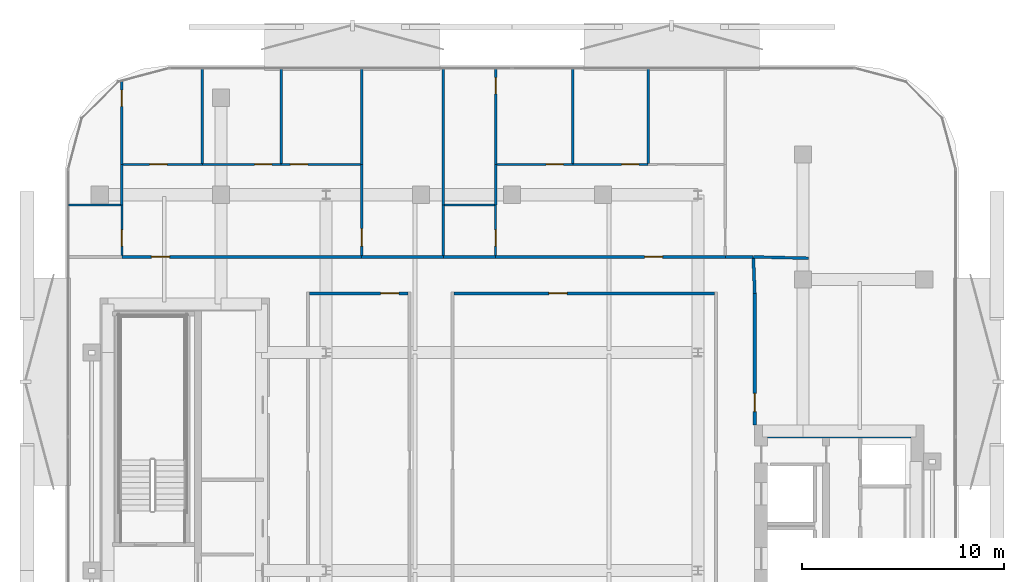
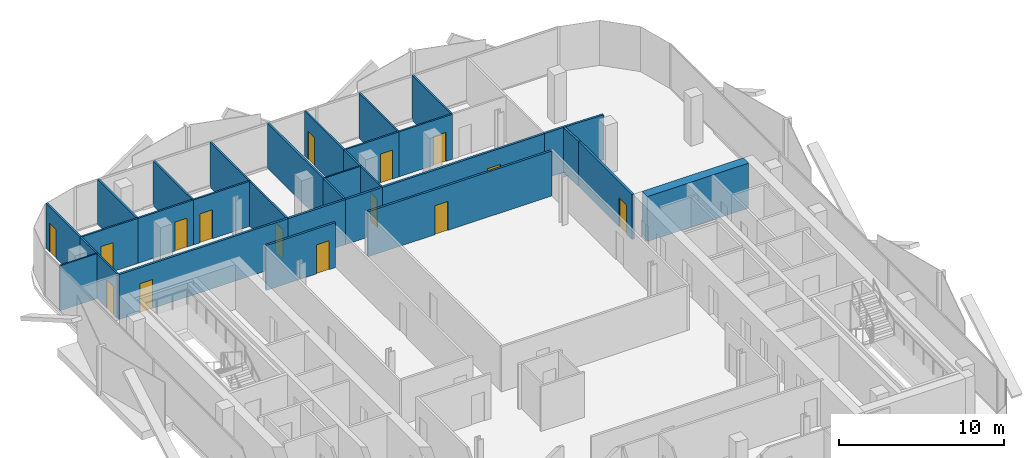
# One storey, part 6 of 14: 32 walls, 15 doors, 15 openings.
"""IFC4 building model written with IfcOpenShell, lengths in metres."""

from ifc_helpers import new_model, si_unit, direction, frame, frame_2d, origin, place, context, subcontext, project, spatial, rectangle, extrude, material, layer, layer_set, type_object, element, fill, save


model = new_model("IFC4")

# Units and contexts
model_context = context("Model", 3, precision=1e-05, world=origin(), true_north=direction((0.0, 1.0)))
body_context = subcontext(model_context, "Body", "Model", "MODEL_VIEW")
ifc_project = project(units=[si_unit("LENGTHUNIT", "METRE"), si_unit("AREAUNIT", "SQUARE_METRE"), si_unit("VOLUMEUNIT", "CUBIC_METRE"), si_unit("PLANEANGLEUNIT", "RADIAN"), si_unit("MASSUNIT", "GRAM", prefix="KILO")], contexts=[model_context])

# Site, building, storey
site_placement = place(None, origin())
site = spatial("IfcSite", under=ifc_project, at=site_placement, CompositionType="ELEMENT")
building_placement = place(site_placement, origin())
building = spatial("IfcBuilding", under=site, at=building_placement, Name="Khairoan Windgate Tower", CompositionType="ELEMENT")
storey_placement = place(building_placement, frame((0.0, 0.0, 233.199951171875)))
storey = spatial("IfcBuildingStorey", under=building, at=storey_placement, Name="L54", CompositionType="ELEMENT", Elevation=233.199951171875)

# Wall
ifc_material_1 = material(Name="Moisture-Resistant Gypsum Partition", Category="gypsum")
ifc_layer_1 = layer(ifc_material_1, 0.10009765625, Name="Moisture-Resistant Gypsum Partition")
ifc_layer_set_1 = layer_set([ifc_layer_1], Name="Moisture-Resistant Gypsum Partition")
wall_type_1 = type_object("IfcWallType", Name="Bathroom Wet-Area Partition Wall", PredefinedType="PARTITIONING", material=ifc_layer_set_1)
wall_1_placement = place(storey_placement, frame((-21.955078125, 18.10009765625, 0.0), z_axis=(0.0, 0.0, 1.0), x_axis=(1.0, 0.0, 0.0)))
element("IfcWall", 1, at=wall_1_placement, inside=storey, type_object=wall_type_1, Name="L54 Interior Partition 042", PredefinedType="PARTITIONING", context=body_context, shape_type="SweptSolid", body=[
    extrude(rectangle(XDim=2.594970703125, YDim=0.10009765625, at=frame_2d((1.29736328125, 0.0))), origin(), (0.0, 0.0, 1.0), 3.340087890625),
])

# Wall, opening, door
wall_2_placement = place(storey_placement, frame((-19.31005859375, 15.60009765625, 0.0), z_axis=(0.0, 0.0, 1.0), x_axis=(0.0, 1.0, 0.0)))
wall_2 = element("IfcWall", 2, at=wall_2_placement, inside=storey, type_object=wall_type_1, Name="L54 Interior Partition 043", PredefinedType="PARTITIONING", context=body_context, shape_type="SweptSolid", body=[
    extrude(rectangle(XDim=2.5, YDim=0.10009765625, at=frame_2d((1.25, 0.0))), origin(), (0.0, 0.0, 1.0), 3.340087890625),
])
opening_1_placement = place(wall_2_placement, frame((0.4599609375, 0.0, 0.0)))
opening_1 = element("IfcOpeningElement", 3, at=opening_1_placement, cuts=wall_2, Name="Opening ID-BTH", PredefinedType="OPENING", context=body_context, shape_type="SweptSolid", body=[
    extrude(rectangle(XDim=0.800048828125, YDim=2.10009765625, at=frame_2d((0.39990234375, 1.050048828125))), frame((0.0, 0.06005859375, 0.0), z_axis=(0.0, -1.0, 0.0), x_axis=(1.0, 0.0, 0.0)), (0.0, 0.0, 1.0), 0.1201171875),
])
ifc_material_2 = material(Name="Teak Veneer Timber Leaf", Category="wood")
door_type_1 = type_object("IfcDoorType", Name="Internal Bathroom Door ID-BTH 800x2100", OperationType="NOTDEFINED", PredefinedType="DOOR", material=ifc_material_2)
door_1_placement = place(opening_1_placement, origin())
door_1 = element("IfcDoor", 4, at=door_1_placement, inside=storey, type_object=door_type_1, Name="L54 L54-35-L54-37 Door", OperationType="SINGLE_SWING_LEFT", OverallHeight=2.10009765625, OverallWidth=0.800048828125, PredefinedType="DOOR", context=body_context, shape_type="SweptSolid", body=[
    extrude(rectangle(XDim=0.800048828125, YDim=2.10009765625, at=frame_2d((0.39990234375, 1.050048828125))), frame((0.0, 0.02490234375, 0.0), z_axis=(0.0, -1.0, 0.0), x_axis=(1.0, 0.0, 0.0)), (0.0, 0.0, 1.0), 0.050048828125),
])
fill(opening_1, door_1)

# Wall
wall_3_placement = place(storey_placement, frame((-3.330078125, 18.10009765625, 0.0), z_axis=(0.0, 0.0, 1.0), x_axis=(1.0, 0.0, 0.0)))
element("IfcWall", 5, at=wall_3_placement, inside=storey, type_object=wall_type_1, Name="L54 Interior Partition 055", PredefinedType="PARTITIONING", context=body_context, shape_type="SweptSolid", body=[
    extrude(rectangle(XDim=2.469970703125, YDim=0.10009765625, at=frame_2d((1.23486328125, 0.0))), origin(), (0.0, 0.0, 1.0), 3.340087890625),
])

# Wall, opening, door
wall_4_placement = place(storey_placement, frame((-0.81005859375, 15.60009765625, 0.0), z_axis=(0.0, 0.0, 1.0), x_axis=(0.0, 1.0, 0.0)))
wall_4 = element("IfcWall", 6, at=wall_4_placement, inside=storey, type_object=wall_type_1, Name="L54 Interior Partition 056", PredefinedType="PARTITIONING", context=body_context, shape_type="SweptSolid", body=[
    extrude(rectangle(XDim=2.5, YDim=0.10009765625, at=frame_2d((1.25, 0.0))), origin(), (0.0, 0.0, 1.0), 3.340087890625),
])
opening_2_placement = place(wall_4_placement, frame((0.4599609375, 0.0, 0.0)))
opening_2 = element("IfcOpeningElement", 7, at=opening_2_placement, cuts=wall_4, Name="Opening ID-BTH", PredefinedType="OPENING", context=body_context, shape_type="SweptSolid", body=[
    extrude(rectangle(XDim=0.800048828125, YDim=2.10009765625, at=frame_2d((0.39990234375, 1.050048828125))), frame((0.0, 0.06005859375, 0.0), z_axis=(0.0, -1.0, 0.0), x_axis=(1.0, 0.0, 0.0)), (0.0, 0.0, 1.0), 0.1201171875),
])
door_2_placement = place(opening_2_placement, origin())
door_2 = element("IfcDoor", 8, at=door_2_placement, inside=storey, type_object=door_type_1, Name="L54 L54-42-L54-44 Door", OperationType="SINGLE_SWING_LEFT", OverallHeight=2.10009765625, OverallWidth=0.800048828125, PredefinedType="DOOR", context=body_context, shape_type="SweptSolid", body=[
    extrude(rectangle(XDim=0.800048828125, YDim=2.10009765625, at=frame_2d((0.39990234375, 1.050048828125))), frame((0.0, 0.02490234375, 0.0), z_axis=(0.0, -1.0, 0.0), x_axis=(1.0, 0.0, 0.0)), (0.0, 0.0, 1.0), 0.050048828125),
])
fill(opening_2, door_2)

# Walls
ifc_material_3 = material(Name="Acoustic Fire-Rated Gypsum Partition", Category="gypsum")
ifc_layer_2 = layer(ifc_material_3, 0.139892578125, Name="Acoustic Fire-Rated Gypsum Partition")
ifc_layer_set_2 = layer_set([ifc_layer_2], Name="Acoustic Fire-Rated Gypsum Partition")
wall_type_2 = type_object("IfcWallType", Name="Inter-Tenancy Compartment Wall", PredefinedType="PARTITIONING", material=ifc_layer_set_2)
wall_5_placement = place(storey_placement, frame((-3.39990234375, 15.60009765625, 0.0), z_axis=(0.0, 0.0, 1.0), x_axis=(0.0, 1.0, 0.0)))
element("IfcWall", 9, at=wall_5_placement, inside=storey, type_object=wall_type_2, Name="L54 Interior Partition 051", PredefinedType="PARTITIONING", context=body_context, shape_type="SweptSolid", body=[
    extrude(rectangle(XDim=2.5, YDim=0.139892578125, at=frame_2d((1.25, 0.0))), origin(), (0.0, 0.0, 1.0), 3.340087890625),
])
wall_6_placement = place(storey_placement, frame((-3.39990234375, 18.10009765625, 0.0), z_axis=(0.0, 0.0, 1.0), x_axis=(0.0, 1.0, 0.0)))
element("IfcWall", 10, at=wall_6_placement, inside=storey, type_object=wall_type_2, Name="L54 Interior Partition 052", PredefinedType="PARTITIONING", context=body_context, shape_type="SweptSolid", body=[
    extrude(rectangle(XDim=6.7548828125, YDim=0.139892578125, at=frame_2d((3.37744140625, 0.0))), origin(), (0.0, 0.0, 1.0), 3.340087890625),
])
wall_7_placement = place(storey_placement, frame((11.93994140625, 15.52490234375, 0.0), z_axis=(0.0, 0.0, 1.0), x_axis=(0.999719241816, -0.023694673289, 0.0)))
element("IfcWall", 11, at=wall_7_placement, inside=storey, type_object=wall_type_2, Name="L54 Interior Partition 064", PredefinedType="PARTITIONING", context=body_context, shape_type="SweptSolid", body=[
    extrude(rectangle(XDim=2.74072265625, YDim=0.139892578125, at=frame_2d((1.370361328125, 0.0))), origin(), (0.0, 0.0, 1.0), 3.340087890625),
])
ifc_material_4 = material(Name="Gypsum Stud Partition", Category="gypsum")
ifc_layer_3 = layer(ifc_material_4, 0.1201171875, Name="Gypsum Stud Partition")
ifc_layer_set_3 = layer_set([ifc_layer_3], Name="Gypsum Stud Partition")
wall_type_3 = type_object("IfcWallType", Name="Internal Room Partition Wall", PredefinedType="PARTITIONING", material=ifc_layer_set_3)
wall_8_placement = place(storey_placement, frame((-19.31005859375, 18.10009765625, 0.0), z_axis=(0.0, 0.0, 1.0), x_axis=(0.0, 1.0, 0.0)))
element("IfcWall", 12, at=wall_8_placement, inside=storey, type_object=wall_type_3, Name="L54 Interior Partition 044", PredefinedType="PARTITIONING", context=body_context, shape_type="SweptSolid", body=[
    extrude(rectangle(XDim=2.0, YDim=0.1201171875, at=frame_2d((1.0, 0.0))), origin(), (0.0, 0.0, 1.0), 3.340087890625),
])

# Wall, opening, door
wall_9_placement = place(storey_placement, frame((-19.31005859375, 20.10009765625, 0.0), z_axis=(0.0, 0.0, 1.0), x_axis=(0.0, 1.0, 0.0)))
wall_9 = element("IfcWall", 13, at=wall_9_placement, inside=storey, type_object=wall_type_3, Name="L54 Interior Partition 045", PredefinedType="PARTITIONING", context=body_context, shape_type="SweptSolid", body=[
    extrude(rectangle(XDim=4.134521484375, YDim=0.1201171875, at=frame_2d((2.0673828125, 0.0))), origin(), (0.0, 0.0, 1.0), 3.340087890625),
])
opening_3_placement = place(wall_9_placement, frame((2.874755859375, 0.0, 0.0)))
opening_3 = element("IfcOpeningElement", 14, at=opening_3_placement, cuts=wall_9, Name="Opening ID-BTH", PredefinedType="OPENING", context=body_context, shape_type="SweptSolid", body=[
    extrude(rectangle(XDim=0.800048828125, YDim=2.10009765625, at=frame_2d((0.39990234375, 1.050048828125))), frame((0.0, 0.070068359375, 0.0), z_axis=(0.0, -1.0, 0.0), x_axis=(1.0, 0.0, 0.0)), (0.0, 0.0, 1.0), 0.14013671875),
])
door_3_placement = place(opening_3_placement, origin())
door_3 = element("IfcDoor", 15, at=door_3_placement, inside=storey, type_object=door_type_1, Name="L54 L54-36-L54-39 Door", OperationType="SINGLE_SWING_LEFT", OverallHeight=2.10009765625, OverallWidth=0.800048828125, PredefinedType="DOOR", context=body_context, shape_type="SweptSolid", body=[
    extrude(rectangle(XDim=0.800048828125, YDim=2.10009765625, at=frame_2d((0.39990234375, 1.050048828125))), frame((0.0, 0.02490234375, 0.0), z_axis=(0.0, -1.0, 0.0), x_axis=(1.0, 0.0, 0.0)), (0.0, 0.0, 1.0), 0.050048828125),
])
fill(opening_3, door_3)

wall_10_placement = place(storey_placement, frame((-7.43994140625, 15.60009765625, 0.0), z_axis=(0.0, 0.0, 1.0), x_axis=(0.0, 1.0, 0.0)))
wall_10 = element("IfcWall", 16, at=wall_10_placement, inside=storey, type_object=wall_type_3, Name="L54 Interior Partition 046", PredefinedType="PARTITIONING", context=body_context, shape_type="SweptSolid", body=[
    extrude(rectangle(XDim=4.5, YDim=0.1201171875, at=frame_2d((2.25, 0.0))), origin(), (0.0, 0.0, 1.0), 3.340087890625),
])
opening_4_placement = place(wall_10_placement, frame((0.4599609375, 0.0, 0.0)))
opening_4 = element("IfcOpeningElement", 17, at=opening_4_placement, cuts=wall_10, Name="Opening ID-RM", PredefinedType="OPENING", context=body_context, shape_type="SweptSolid", body=[
    extrude(rectangle(XDim=0.860107421875, YDim=2.14990234375, at=frame_2d((0.43017578125, 1.074951171875))), frame((0.0, 0.070068359375, 0.0), z_axis=(0.0, -1.0, 0.0), x_axis=(1.0, 0.0, 0.0)), (0.0, 0.0, 1.0), 0.14013671875),
])
ifc_material_5 = material(Name="Teak Veneer Timber Leaf", Category="wood")
door_type_2 = type_object("IfcDoorType", Name="Internal Bedroom and Office Door ID-RM 860x2150", OperationType="NOTDEFINED", PredefinedType="DOOR", material=ifc_material_5)
door_4_placement = place(opening_4_placement, origin())
door_4 = element("IfcDoor", 18, at=door_4_placement, inside=storey, type_object=door_type_2, Name="L54 L54-37-L54-38 Door", OperationType="SINGLE_SWING_LEFT", OverallHeight=2.14990234375, OverallWidth=0.860107421875, PredefinedType="DOOR", context=body_context, shape_type="SweptSolid", body=[
    extrude(rectangle(XDim=0.860107421875, YDim=2.14990234375, at=frame_2d((0.43017578125, 1.074951171875))), frame((0.0, 0.02490234375, 0.0), z_axis=(0.0, -1.0, 0.0), x_axis=(1.0, 0.0, 0.0)), (0.0, 0.0, 1.0), 0.050048828125),
])
fill(opening_4, door_4)

wall_11_placement = place(storey_placement, frame((-19.25, 20.10009765625, 0.0), z_axis=(0.0, 0.0, 1.0), x_axis=(1.0, 0.0, 0.0)))
wall_11 = element("IfcWall", 19, at=wall_11_placement, inside=storey, type_object=wall_type_3, Name="L54 Interior Partition 047", PredefinedType="PARTITIONING", context=body_context, shape_type="SweptSolid", body=[
    extrude(rectangle(XDim=3.923095703125, YDim=0.1201171875, at=frame_2d((1.96142578125, 0.0))), origin(), (0.0, 0.0, 1.0), 3.340087890625),
])
opening_5_placement = place(wall_11_placement, frame((1.317138671875, 0.0, 0.0)))
opening_5 = element("IfcOpeningElement", 20, at=opening_5_placement, cuts=wall_11, Name="Opening ID-RM", PredefinedType="OPENING", context=body_context, shape_type="SweptSolid", body=[
    extrude(rectangle(XDim=0.860107421875, YDim=2.14990234375, at=frame_2d((0.43017578125, 1.074951171875))), frame((0.0, 0.070068359375, 0.0), z_axis=(0.0, -1.0, 0.0), x_axis=(1.0, 0.0, 0.0)), (0.0, 0.0, 1.0), 0.14013671875),
])
door_5_placement = place(opening_5_placement, origin())
door_5 = element("IfcDoor", 21, at=door_5_placement, inside=storey, type_object=door_type_2, Name="L54 L54-37-L54-39 Door", OperationType="SINGLE_SWING_RIGHT", OverallHeight=2.14990234375, OverallWidth=0.860107421875, PredefinedType="DOOR", context=body_context, shape_type="SweptSolid", body=[
    extrude(rectangle(XDim=0.860107421875, YDim=2.14990234375, at=frame_2d((0.43017578125, 1.074951171875))), frame((0.0, 0.02490234375, 0.0), z_axis=(0.0, -1.0, 0.0), x_axis=(1.0, 0.0, 0.0)), (0.0, 0.0, 1.0), 0.050048828125),
])
fill(opening_5, door_5)

wall_12_placement = place(storey_placement, frame((-15.326904296875, 20.10009765625, 0.0), z_axis=(0.0, 0.0, 1.0), x_axis=(1.0, 0.0, 0.0)))
wall_12 = element("IfcWall", 22, at=wall_12_placement, inside=storey, type_object=wall_type_3, Name="L54 Interior Partition 048", PredefinedType="PARTITIONING", context=body_context, shape_type="SweptSolid", body=[
    extrude(rectangle(XDim=3.90380859375, YDim=0.1201171875, at=frame_2d((1.951904296875, 0.0))), origin(), (0.0, 0.0, 1.0), 3.340087890625),
])
opening_6_placement = place(wall_12_placement, frame((2.583984375, 0.0, 0.0)))
opening_6 = element("IfcOpeningElement", 23, at=opening_6_placement, cuts=wall_12, Name="Opening ID-RM", PredefinedType="OPENING", context=body_context, shape_type="SweptSolid", body=[
    extrude(rectangle(XDim=0.860107421875, YDim=2.14990234375, at=frame_2d((0.43017578125, 1.074951171875))), frame((0.0, 0.070068359375, 0.0), z_axis=(0.0, -1.0, 0.0), x_axis=(1.0, 0.0, 0.0)), (0.0, 0.0, 1.0), 0.14013671875),
])
door_6_placement = place(opening_6_placement, origin())
door_6 = element("IfcDoor", 24, at=door_6_placement, inside=storey, type_object=door_type_2, Name="L54 L54-37-L54-40 Door", OperationType="SINGLE_SWING_LEFT", OverallHeight=2.14990234375, OverallWidth=0.860107421875, PredefinedType="DOOR", context=body_context, shape_type="SweptSolid", body=[
    extrude(rectangle(XDim=0.860107421875, YDim=2.14990234375, at=frame_2d((0.43017578125, 1.074951171875))), frame((0.0, 0.02490234375, 0.0), z_axis=(0.0, -1.0, 0.0), x_axis=(1.0, 0.0, 0.0)), (0.0, 0.0, 1.0), 0.050048828125),
])
fill(opening_6, door_6)

wall_13_placement = place(storey_placement, frame((-11.423095703125, 20.10009765625, 0.0), z_axis=(0.0, 0.0, 1.0), x_axis=(1.0, 0.0, 0.0)))
wall_13 = element("IfcWall", 25, at=wall_13_placement, inside=storey, type_object=wall_type_3, Name="L54 Interior Partition 049", PredefinedType="PARTITIONING", context=body_context, shape_type="SweptSolid", body=[
    extrude(rectangle(XDim=3.923095703125, YDim=0.1201171875, at=frame_2d((1.96142578125, 0.0))), origin(), (0.0, 0.0, 1.0), 3.340087890625),
])
opening_7_placement = place(wall_13_placement, frame((0.4599609375, 0.0, 0.0)))
opening_7 = element("IfcOpeningElement", 26, at=opening_7_placement, cuts=wall_13, Name="Opening ID-RM", PredefinedType="OPENING", context=body_context, shape_type="SweptSolid", body=[
    extrude(rectangle(XDim=0.860107421875, YDim=2.14990234375, at=frame_2d((0.43017578125, 1.074951171875))), frame((0.0, 0.070068359375, 0.0), z_axis=(0.0, -1.0, 0.0), x_axis=(1.0, 0.0, 0.0)), (0.0, 0.0, 1.0), 0.14013671875),
])
door_7_placement = place(opening_7_placement, origin())
door_7 = element("IfcDoor", 27, at=door_7_placement, inside=storey, type_object=door_type_2, Name="L54 L54-37-L54-41 Door", OperationType="SINGLE_SWING_RIGHT", OverallHeight=2.14990234375, OverallWidth=0.860107421875, PredefinedType="DOOR", context=body_context, shape_type="SweptSolid", body=[
    extrude(rectangle(XDim=0.860107421875, YDim=2.14990234375, at=frame_2d((0.43017578125, 1.074951171875))), frame((0.0, 0.02490234375, 0.0), z_axis=(0.0, -1.0, 0.0), x_axis=(1.0, 0.0, 0.0)), (0.0, 0.0, 1.0), 0.050048828125),
])
fill(opening_7, door_7)

# Walls
wall_14_placement = place(storey_placement, frame((-7.43994140625, 20.10009765625, 0.0), z_axis=(0.0, 0.0, 1.0), x_axis=(0.0, 1.0, 0.0)))
element("IfcWall", 28, at=wall_14_placement, inside=storey, type_object=wall_type_3, Name="L54 Interior Partition 050", PredefinedType="PARTITIONING", context=body_context, shape_type="SweptSolid", body=[
    extrude(rectangle(XDim=4.7548828125, YDim=0.1201171875, at=frame_2d((2.37744140625, 0.0))), origin(), (0.0, 0.0, 1.0), 3.340087890625),
])
for number, where, z_axis, x_axis, name in (
    (29, (-15.326904296875, 20.159912109375, 0.0), (0.0, 0.0, 1.0), (0.0, 1.0, 0.0), "L54 Interior Partition 053"),
    (30, (-11.423095703125, 20.159912109375, 0.0), (0.0, 0.0, 1.0), (0.0, 1.0, 0.0), "L54 Interior Partition 054"),
):
    element("IfcWall", number, at=place(storey_placement, frame(where, z_axis=z_axis, x_axis=x_axis)), inside=storey, type_object=wall_type_3, Name=name, PredefinedType="PARTITIONING", context=body_context, shape_type="SweptSolid", body=[
        extrude(rectangle(XDim=4.695068359375, YDim=0.1201171875, at=frame_2d((2.34765625, 0.0))), origin(), (0.0, 0.0, 1.0), 3.340087890625),
    ])
wall_15_placement = place(storey_placement, frame((-0.81005859375, 18.10009765625, 0.0), z_axis=(0.0, 0.0, 1.0), x_axis=(0.0, 1.0, 0.0)))
element("IfcWall", 31, at=wall_15_placement, inside=storey, type_object=wall_type_3, Name="L54 Interior Partition 057", PredefinedType="PARTITIONING", context=body_context, shape_type="SweptSolid", body=[
    extrude(rectangle(XDim=2.0, YDim=0.1201171875, at=frame_2d((1.0, 0.0))), origin(), (0.0, 0.0, 1.0), 3.340087890625),
])

# Wall, opening, door
wall_16_placement = place(storey_placement, frame((-0.81005859375, 20.10009765625, 0.0), z_axis=(0.0, 0.0, 1.0), x_axis=(0.0, 1.0, 0.0)))
wall_16 = element("IfcWall", 32, at=wall_16_placement, inside=storey, type_object=wall_type_3, Name="L54 Interior Partition 058", PredefinedType="PARTITIONING", context=body_context, shape_type="SweptSolid", body=[
    extrude(rectangle(XDim=4.7548828125, YDim=0.1201171875, at=frame_2d((2.37744140625, 0.0))), origin(), (0.0, 0.0, 1.0), 3.340087890625),
])
opening_8_placement = place(wall_16_placement, frame((3.4951171875, 0.0, 0.0)))
opening_8 = element("IfcOpeningElement", 33, at=opening_8_placement, cuts=wall_16, Name="Opening ID-BTH", PredefinedType="OPENING", context=body_context, shape_type="SweptSolid", body=[
    extrude(rectangle(XDim=0.800048828125, YDim=2.10009765625, at=frame_2d((0.39990234375, 1.050048828125))), frame((0.0, 0.070068359375, 0.0), z_axis=(0.0, -1.0, 0.0), x_axis=(1.0, 0.0, 0.0)), (0.0, 0.0, 1.0), 0.14013671875),
])
door_8_placement = place(opening_8_placement, origin())
door_8 = element("IfcDoor", 34, at=door_8_placement, inside=storey, type_object=door_type_1, Name="L54 L54-43-L54-46 Door", OperationType="SINGLE_SWING_RIGHT", OverallHeight=2.10009765625, OverallWidth=0.800048828125, PredefinedType="DOOR", context=body_context, shape_type="SweptSolid", body=[
    extrude(rectangle(XDim=0.800048828125, YDim=2.10009765625, at=frame_2d((0.39990234375, 1.050048828125))), frame((0.0, 0.02490234375, 0.0), z_axis=(0.0, -1.0, 0.0), x_axis=(1.0, 0.0, 0.0)), (0.0, 0.0, 1.0), 0.050048828125),
])
fill(opening_8, door_8)

wall_17_placement = place(storey_placement, frame((-0.75, 20.10009765625, 0.0), z_axis=(0.0, 0.0, 1.0), x_axis=(1.0, 0.0, 0.0)))
wall_17 = element("IfcWall", 35, at=wall_17_placement, inside=storey, type_object=wall_type_3, Name="L54 Interior Partition 060", PredefinedType="PARTITIONING", context=body_context, shape_type="SweptSolid", body=[
    extrude(rectangle(XDim=3.757080078125, YDim=0.1201171875, at=frame_2d((1.87841796875, 0.0))), origin(), (0.0, 0.0, 1.0), 3.340087890625),
])
opening_9_placement = place(wall_17_placement, frame((2.43701171875, 0.0, 0.0)))
opening_9 = element("IfcOpeningElement", 36, at=opening_9_placement, cuts=wall_17, Name="Opening ID-RM", PredefinedType="OPENING", context=body_context, shape_type="SweptSolid", body=[
    extrude(rectangle(XDim=0.860107421875, YDim=2.14990234375, at=frame_2d((0.43017578125, 1.074951171875))), frame((0.0, 0.070068359375, 0.0), z_axis=(0.0, -1.0, 0.0), x_axis=(1.0, 0.0, 0.0)), (0.0, 0.0, 1.0), 0.14013671875),
])
door_9_placement = place(opening_9_placement, origin())
door_9 = element("IfcDoor", 37, at=door_9_placement, inside=storey, type_object=door_type_2, Name="L54 L54-44-L54-46 Door", OperationType="SINGLE_SWING_RIGHT", OverallHeight=2.14990234375, OverallWidth=0.860107421875, PredefinedType="DOOR", context=body_context, shape_type="SweptSolid", body=[
    extrude(rectangle(XDim=0.860107421875, YDim=2.14990234375, at=frame_2d((0.43017578125, 1.074951171875))), frame((0.0, 0.02490234375, 0.0), z_axis=(0.0, -1.0, 0.0), x_axis=(1.0, 0.0, 0.0)), (0.0, 0.0, 1.0), 0.050048828125),
])
fill(opening_9, door_9)

wall_18_placement = place(storey_placement, frame((3.007080078125, 20.10009765625, 0.0), z_axis=(0.0, 0.0, 1.0), x_axis=(1.0, 0.0, 0.0)))
wall_18 = element("IfcWall", 38, at=wall_18_placement, inside=storey, type_object=wall_type_3, Name="L54 Interior Partition 061", PredefinedType="PARTITIONING", context=body_context, shape_type="SweptSolid", body=[
    extrude(rectangle(XDim=3.73583984375, YDim=0.1201171875, at=frame_2d((1.867919921875, 0.0))), origin(), (0.0, 0.0, 1.0), 3.340087890625),
])
opening_10_placement = place(wall_18_placement, frame((2.416015625, 0.0, 0.0)))
opening_10 = element("IfcOpeningElement", 39, at=opening_10_placement, cuts=wall_18, Name="Opening ID-RM", PredefinedType="OPENING", context=body_context, shape_type="SweptSolid", body=[
    extrude(rectangle(XDim=0.860107421875, YDim=2.14990234375, at=frame_2d((0.43017578125, 1.074951171875))), frame((0.0, 0.070068359375, 0.0), z_axis=(0.0, -1.0, 0.0), x_axis=(1.0, 0.0, 0.0)), (0.0, 0.0, 1.0), 0.14013671875),
])
door_10_placement = place(opening_10_placement, origin())
door_10 = element("IfcDoor", 40, at=door_10_placement, inside=storey, type_object=door_type_2, Name="L54 L54-44-L54-47 Door", OperationType="SINGLE_SWING_LEFT", OverallHeight=2.14990234375, OverallWidth=0.860107421875, PredefinedType="DOOR", context=body_context, shape_type="SweptSolid", body=[
    extrude(rectangle(XDim=0.860107421875, YDim=2.14990234375, at=frame_2d((0.43017578125, 1.074951171875))), frame((0.0, 0.02490234375, 0.0), z_axis=(0.0, -1.0, 0.0), x_axis=(1.0, 0.0, 0.0)), (0.0, 0.0, 1.0), 0.050048828125),
])
fill(opening_10, door_10)

# Walls
for number, where, z_axis, x_axis, name in (
    (41, (3.007080078125, 20.159912109375, 0.0), (0.0, 0.0, 1.0), (0.0, 1.0, 0.0), "L54 Interior Partition 065"),
    (42, (6.742919921875, 20.159912109375, 0.0), (0.0, 0.0, 1.0), (0.0, 1.0, 0.0), "L54 Interior Partition 066"),
):
    element("IfcWall", number, at=place(storey_placement, frame(where, z_axis=z_axis, x_axis=x_axis)), inside=storey, type_object=wall_type_3, Name=name, PredefinedType="PARTITIONING", context=body_context, shape_type="SweptSolid", body=[
        extrude(rectangle(XDim=4.695068359375, YDim=0.1201171875, at=frame_2d((2.34765625, 0.0))), origin(), (0.0, 0.0, 1.0), 3.340087890625),
    ])

# Wall, opening, door
ifc_material_6 = material(Name="Acoustic Fire-Rated Gypsum Partition", Category="gypsum")
ifc_layer_4 = layer(ifc_material_6, 0.14990234375, Name="Acoustic Fire-Rated Gypsum Partition")
ifc_layer_set_4 = layer_set([ifc_layer_4], Name="Acoustic Fire-Rated Gypsum Partition")
wall_type_4 = type_object("IfcWallType", Name="Rated Corridor Partition Wall", PredefinedType="PARTITIONING", material=ifc_layer_set_4)
wall_19_placement = place(storey_placement, frame((12.014892578125, 7.199951171875, 0.0), z_axis=(0.0, 0.0, 1.0), x_axis=(0.0, 1.0, 0.0)))
wall_19 = element("IfcWall", 43, at=wall_19_placement, inside=storey, type_object=wall_type_4, Name="L54 Interior Partition 017", PredefinedType="PARTITIONING", context=body_context, shape_type="SweptSolid", body=[
    extrude(rectangle(XDim=6.52001953125, YDim=0.14990234375, at=frame_2d((3.260009765625, 0.0))), origin(), (0.0, 0.0, 1.0), 3.340087890625),
])
opening_11_placement = place(wall_19_placement, frame((0.669921875, 0.0, 0.0)))
opening_11 = element("IfcOpeningElement", 44, at=opening_11_placement, cuts=wall_19, Name="Opening FD-ENT", PredefinedType="OPENING", context=body_context, shape_type="SweptSolid", body=[
    extrude(rectangle(XDim=0.89990234375, YDim=2.14990234375, at=frame_2d((0.449951171875, 1.074951171875))), frame((0.0, 0.0849609375, 0.0), z_axis=(0.0, -1.0, 0.0), x_axis=(1.0, 0.0, 0.0)), (0.0, 0.0, 1.0), 0.169921875),
])
ifc_material_7 = material(Name="Timber Fire-Rated Core", Category="wood")
door_type_3 = type_object("IfcDoorType", Name="Unit and Office Fire Entrance Door FD-ENT 900x2150", OperationType="NOTDEFINED", PredefinedType="DOOR", material=ifc_material_7)
door_11_placement = place(opening_11_placement, origin())
door_11 = element("IfcDoor", 45, at=door_11_placement, inside=storey, type_object=door_type_3, Name="L54 L54-30-L54-63 Door", OperationType="SINGLE_SWING_LEFT", OverallHeight=2.14990234375, OverallWidth=0.89990234375, PredefinedType="DOOR", context=body_context, shape_type="SweptSolid", body=[
    extrude(rectangle(XDim=0.89990234375, YDim=2.14990234375, at=frame_2d((0.449951171875, 1.074951171875))), frame((0.0, 0.02490234375, 0.0), z_axis=(0.0, -1.0, 0.0), x_axis=(1.0, 0.0, 0.0)), (0.0, 0.0, 1.0), 0.050048828125),
])
fill(opening_11, door_11)

wall_20_placement = place(storey_placement, frame((-19.31005859375, 15.52490234375, 0.0), z_axis=(0.0, 0.0, 1.0), x_axis=(1.0, 0.0, 0.0)))
wall_20 = element("IfcWall", 46, at=wall_20_placement, inside=storey, type_object=wall_type_4, Name="L54 Interior Partition 027", PredefinedType="PARTITIONING", context=body_context, shape_type="SweptSolid", body=[
    extrude(rectangle(XDim=11.8701171875, YDim=0.14990234375, at=frame_2d((5.93505859375, 0.0))), origin(), (0.0, 0.0, 1.0), 3.340087890625),
])
opening_12_placement = place(wall_20_placement, frame((1.465087890625, 0.0, 0.0)))
opening_12 = element("IfcOpeningElement", 47, at=opening_12_placement, cuts=wall_20, Name="Opening FD-ENT", PredefinedType="OPENING", context=body_context, shape_type="SweptSolid", body=[
    extrude(rectangle(XDim=0.89990234375, YDim=2.14990234375, at=frame_2d((0.449951171875, 1.074951171875))), frame((0.0, 0.0849609375, 0.0), z_axis=(0.0, -1.0, 0.0), x_axis=(1.0, 0.0, 0.0)), (0.0, 0.0, 1.0), 0.169921875),
])
door_12_placement = place(opening_12_placement, origin())
door_12 = element("IfcDoor", 48, at=door_12_placement, inside=storey, type_object=door_type_3, Name="L54 L54-33-L54-37 Door", OperationType="SINGLE_SWING_RIGHT", OverallHeight=2.14990234375, OverallWidth=0.89990234375, PredefinedType="DOOR", context=body_context, shape_type="SweptSolid", body=[
    extrude(rectangle(XDim=0.89990234375, YDim=2.14990234375, at=frame_2d((0.449951171875, 1.074951171875))), frame((0.0, 0.02490234375, 0.0), z_axis=(0.0, -1.0, 0.0), x_axis=(1.0, 0.0, 0.0)), (0.0, 0.0, 1.0), 0.050048828125),
])
fill(opening_12, door_12)

# Walls
wall_21_placement = place(storey_placement, frame((-7.43994140625, 15.52490234375, 0.0), z_axis=(0.0, 0.0, 1.0), x_axis=(1.0, 0.0, 0.0)))
element("IfcWall", 49, at=wall_21_placement, inside=storey, type_object=wall_type_4, Name="L54 Interior Partition 028", PredefinedType="PARTITIONING", context=body_context, shape_type="SweptSolid", body=[
    extrude(rectangle(XDim=4.0400390625, YDim=0.14990234375, at=frame_2d((2.02001953125, 0.0))), origin(), (0.0, 0.0, 1.0), 3.340087890625),
])
wall_22_placement = place(storey_placement, frame((-3.39990234375, 15.52490234375, 0.0), z_axis=(0.0, 0.0, 1.0), x_axis=(1.0, 0.0, 0.0)))
element("IfcWall", 50, at=wall_22_placement, inside=storey, type_object=wall_type_4, Name="L54 Interior Partition 029", PredefinedType="PARTITIONING", context=body_context, shape_type="SweptSolid", body=[
    extrude(rectangle(XDim=2.58984375, YDim=0.14990234375, at=frame_2d((1.294921875, 0.0))), origin(), (0.0, 0.0, 1.0), 3.340087890625),
])

# Wall, opening, door
wall_23_placement = place(storey_placement, frame((-0.81005859375, 15.52490234375, 0.0), z_axis=(0.0, 0.0, 1.0), x_axis=(1.0, 0.0, 0.0)))
wall_23 = element("IfcWall", 51, at=wall_23_placement, inside=storey, type_object=wall_type_4, Name="L54 Interior Partition 030", PredefinedType="PARTITIONING", context=body_context, shape_type="SweptSolid", body=[
    extrude(rectangle(XDim=11.3701171875, YDim=0.14990234375, at=frame_2d((5.68505859375, 0.0))), origin(), (0.0, 0.0, 1.0), 3.340087890625),
])
opening_13_placement = place(wall_23_placement, frame((7.368408203125, 0.0, 0.0)))
opening_13 = element("IfcOpeningElement", 52, at=opening_13_placement, cuts=wall_23, Name="Opening FD-ENT", PredefinedType="OPENING", context=body_context, shape_type="SweptSolid", body=[
    extrude(rectangle(XDim=0.89990234375, YDim=2.14990234375, at=frame_2d((0.449951171875, 1.074951171875))), frame((0.0, 0.0849609375, 0.0), z_axis=(0.0, -1.0, 0.0), x_axis=(1.0, 0.0, 0.0)), (0.0, 0.0, 1.0), 0.169921875),
])
door_13_placement = place(opening_13_placement, origin())
door_13 = element("IfcDoor", 53, at=door_13_placement, inside=storey, type_object=door_type_3, Name="L54 L54-33-L54-44 Door", OperationType="SINGLE_SWING_LEFT", OverallHeight=2.14990234375, OverallWidth=0.89990234375, PredefinedType="DOOR", context=body_context, shape_type="SweptSolid", body=[
    extrude(rectangle(XDim=0.89990234375, YDim=2.14990234375, at=frame_2d((0.449951171875, 1.074951171875))), frame((0.0, 0.02490234375, 0.0), z_axis=(0.0, -1.0, 0.0), x_axis=(1.0, 0.0, 0.0)), (0.0, 0.0, 1.0), 0.050048828125),
])
fill(opening_13, door_13)

# Walls
wall_24_placement = place(storey_placement, frame((10.56005859375, 15.52490234375, 0.0), z_axis=(0.0, 0.0, 1.0), x_axis=(1.0, 0.0, 0.0)))
element("IfcWall", 54, at=wall_24_placement, inside=storey, type_object=wall_type_4, Name="L54 Interior Partition 031", PredefinedType="PARTITIONING", context=body_context, shape_type="SweptSolid", body=[
    extrude(rectangle(XDim=1.3798828125, YDim=0.14990234375, at=frame_2d((0.68994140625, 0.0))), origin(), (0.0, 0.0, 1.0), 3.340087890625),
])
wall_25_placement = place(storey_placement, frame((12.014892578125, 13.719970703125, 0.0), z_axis=(0.0, 0.0, 1.0), x_axis=(-0.040046877756, 0.99919780203, 0.0)))
element("IfcWall", 55, at=wall_25_placement, inside=storey, type_object=wall_type_4, Name="L54 Interior Partition 032", PredefinedType="PARTITIONING", context=body_context, shape_type="SweptSolid", body=[
    extrude(rectangle(XDim=1.7314453125, YDim=0.14990234375, at=frame_2d((0.86572265625, 0.0))), origin(), (0.0, 0.0, 1.0), 3.340087890625),
])

# Wall, opening, door
wall_26_placement = place(storey_placement, frame((-10.02490234375, 13.719970703125, 0.0), z_axis=(0.0, 0.0, 1.0), x_axis=(1.0, 0.0, 0.0)))
wall_26 = element("IfcWall", 56, at=wall_26_placement, inside=storey, type_object=wall_type_4, Name="L54 Interior Partition 033", PredefinedType="PARTITIONING", context=body_context, shape_type="SweptSolid", body=[
    extrude(rectangle(XDim=4.885009765625, YDim=0.14990234375, at=frame_2d((2.4423828125, 0.0))), origin(), (0.0, 0.0, 1.0), 3.340087890625),
])
opening_14_placement = place(wall_26_placement, frame((3.52490234375, 0.0, 0.0)))
opening_14 = element("IfcOpeningElement", 57, at=opening_14_placement, cuts=wall_26, Name="Opening FD-ENT", PredefinedType="OPENING", context=body_context, shape_type="SweptSolid", body=[
    extrude(rectangle(XDim=0.89990234375, YDim=2.14990234375, at=frame_2d((0.449951171875, 1.074951171875))), frame((0.0, 0.0849609375, 0.0), z_axis=(0.0, -1.0, 0.0), x_axis=(1.0, 0.0, 0.0)), (0.0, 0.0, 1.0), 0.169921875),
])
door_14_placement = place(opening_14_placement, origin())
door_14 = element("IfcDoor", 58, at=door_14_placement, inside=storey, type_object=door_type_3, Name="L54 L54-33-L54-64 Door", OperationType="SINGLE_SWING_LEFT", OverallHeight=2.14990234375, OverallWidth=0.89990234375, PredefinedType="DOOR", context=body_context, shape_type="SweptSolid", body=[
    extrude(rectangle(XDim=0.89990234375, YDim=2.14990234375, at=frame_2d((0.449951171875, 1.074951171875))), frame((0.0, 0.02490234375, 0.0), z_axis=(0.0, -1.0, 0.0), x_axis=(1.0, 0.0, 0.0)), (0.0, 0.0, 1.0), 0.050048828125),
])
fill(opening_14, door_14)

wall_27_placement = place(storey_placement, frame((-2.860107421875, 13.719970703125, 0.0), z_axis=(0.0, 0.0, 1.0), x_axis=(1.0, 0.0, 0.0)))
wall_27 = element("IfcWall", 59, at=wall_27_placement, inside=storey, type_object=wall_type_4, Name="L54 Interior Partition 034", PredefinedType="PARTITIONING", context=body_context, shape_type="SweptSolid", body=[
    extrude(rectangle(XDim=12.885009765625, YDim=0.14990234375, at=frame_2d((6.4423828125, 0.0))), origin(), (0.0, 0.0, 1.0), 3.340087890625),
])
opening_15_placement = place(wall_27_placement, frame((4.684814453125, 0.0, 0.0)))
opening_15 = element("IfcOpeningElement", 60, at=opening_15_placement, cuts=wall_27, Name="Opening FD-ENT", PredefinedType="OPENING", context=body_context, shape_type="SweptSolid", body=[
    extrude(rectangle(XDim=0.89990234375, YDim=2.14990234375, at=frame_2d((0.449951171875, 1.074951171875))), frame((0.0, 0.0849609375, 0.0), z_axis=(0.0, -1.0, 0.0), x_axis=(1.0, 0.0, 0.0)), (0.0, 0.0, 1.0), 0.169921875),
])
door_15_placement = place(opening_15_placement, origin())
door_15 = element("IfcDoor", 61, at=door_15_placement, inside=storey, type_object=door_type_3, Name="L54 L54-33-L54-66 Door", OperationType="SINGLE_SWING_RIGHT", OverallHeight=2.14990234375, OverallWidth=0.89990234375, PredefinedType="DOOR", context=body_context, shape_type="SweptSolid", body=[
    extrude(rectangle(XDim=0.89990234375, YDim=2.14990234375, at=frame_2d((0.449951171875, 1.074951171875))), frame((0.0, 0.02490234375, 0.0), z_axis=(0.0, -1.0, 0.0), x_axis=(1.0, 0.0, 0.0)), (0.0, 0.0, 1.0), 0.050048828125),
])
fill(opening_15, door_15)

# Wall
ifc_material_8 = material(Name="Concrete C60/75", Category="concrete")
ifc_layer_5 = layer(ifc_material_8, 0.64990234375, Name="Concrete C60/75")
ifc_layer_set_5 = layer_set([ifc_layer_5], Name="Concrete C60/75")
wall_type_5 = type_object("IfcWallType", Name="Shear Wall CW-E2 650mm", PredefinedType="SHEAR", material=ifc_layer_set_5)
wall_28_placement = place(storey_placement, frame((12.64990234375, 6.875, 0.0), z_axis=(0.0, 0.0, 1.0), x_axis=(1.0, 0.0, 0.0)))
element("IfcWall", 62, at=wall_28_placement, inside=storey, type_object=wall_type_5, Name="E Core North Shear Wall L54", PredefinedType="SHEAR", context=body_context, shape_type="SweptSolid", body=[
    extrude(rectangle(XDim=7.10009765625, YDim=0.64990234375, at=frame_2d((3.550048828125, 0.0))), origin(), (0.0, 0.0, 1.0), 3.340087890625),
])

save(model, "model.ifc")
